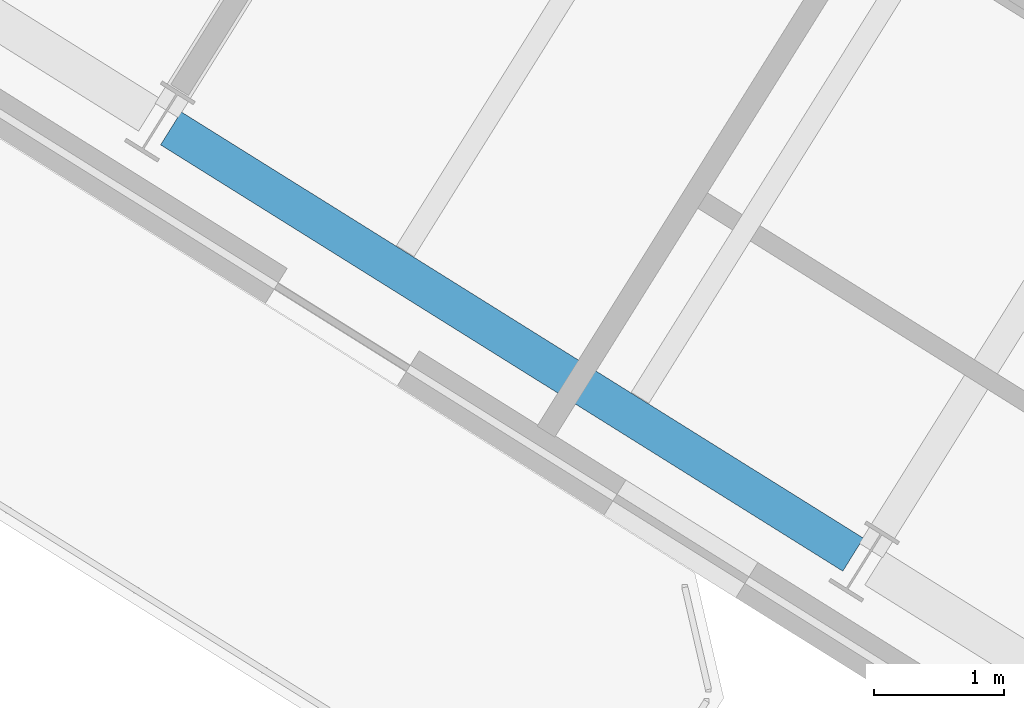
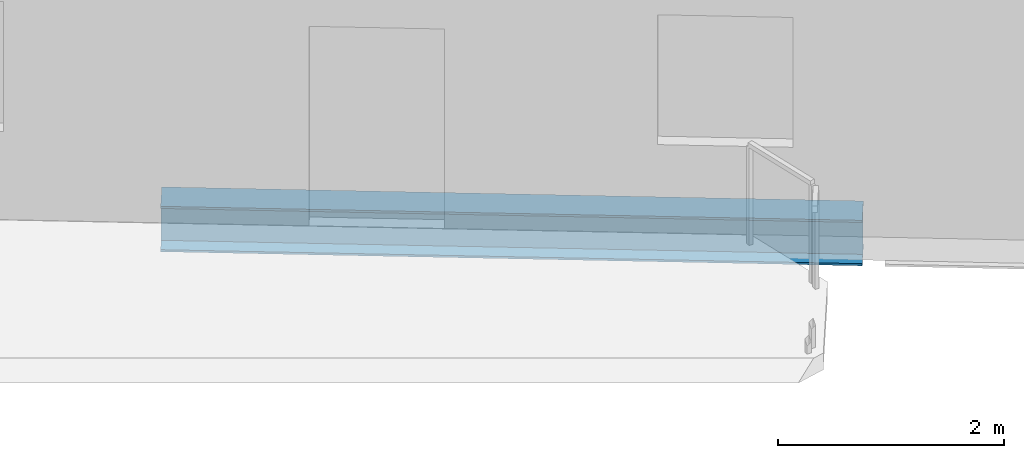
# One storey, part 5 of 29: 1 beam.
"""IFC4 building model written with IfcOpenShell, lengths in metres."""

from ifc_helpers import new_model, si_unit, direction, frame, origin, origin_2d, place, context, subcontext, project, spatial, i_section, extrude, source, transform, mapped, material, material_profile, profile_set, type_object, element, save


model = new_model("IFC4")

# Units and contexts
model_context = context("Model", 3, precision=1e-05, world=origin(), true_north=direction((0.0, 1.0)))
body_context = subcontext(model_context, "Body", "Model", "MODEL_VIEW")
ifc_project = project(units=[si_unit("LENGTHUNIT", "METRE"), si_unit("AREAUNIT", "SQUARE_METRE"), si_unit("VOLUMEUNIT", "CUBIC_METRE"), si_unit("PLANEANGLEUNIT", "RADIAN"), si_unit("MASSUNIT", "GRAM", prefix="KILO")], contexts=[model_context])

# Site, building, storey
site_placement = place(None, origin())
site = spatial("IfcSite", under=ifc_project, at=site_placement, CompositionType="ELEMENT")
building_placement = place(site_placement, origin())
building = spatial("IfcBuilding", under=site, at=building_placement, Name="Tlacorven Tower", CompositionType="ELEMENT")
storey_placement = place(building_placement, frame((0.0, 0.0, 151.5)))
storey = spatial("IfcBuildingStorey", under=building, at=storey_placement, Name="L38", CompositionType="ELEMENT", Elevation=151.5)

# Beam
ifc_material = material(Name="Steel S355J2", Category="steel")
ifc_material_profile = material_profile(ifc_material, i_section(OverallWidth=0.300048828125, OverallDepth=0.489990234375, WebThickness=0.011962890625, FlangeThickness=0.02294921875, at=origin_2d()), Name="HEA 500")
ifc_profile_set = profile_set([ifc_material_profile], Name="Steel S355J2")
beam_type = type_object("IfcBeamType", Name="BM-SPN-500", PredefinedType="SPANDREL", material=ifc_profile_set)
shared_shape = source(origin(), body_context, "Body", "SweptSolid", [
    extrude(i_section(OverallWidth=0.300048828125, OverallDepth=0.489990234375, WebThickness=0.011962890625, FlangeThickness=0.02294921875, at=origin_2d()), origin(), (0.0, 0.0, 1.0), 6.199951171875),
])
beam_placement = place(storey_placement, frame((18.82080078125, 13.6650390625, -0.4951171875), z_axis=(-0.848051394107, 0.529913986372, 0.0), x_axis=(-0.529913986372, -0.848051394107, 0.0)))
element("IfcBeam", 1, at=beam_placement, inside=storey, type_object=beam_type, Name="L38 beam BM-L38-WL4-3", PredefinedType="SPANDREL", context=body_context, shape_type="MappedRepresentation", body=[
    mapped(shared_shape, transform((0.0, 0.0, 0.0), scale=1.0)),
])

save(model, "model.ifc")
